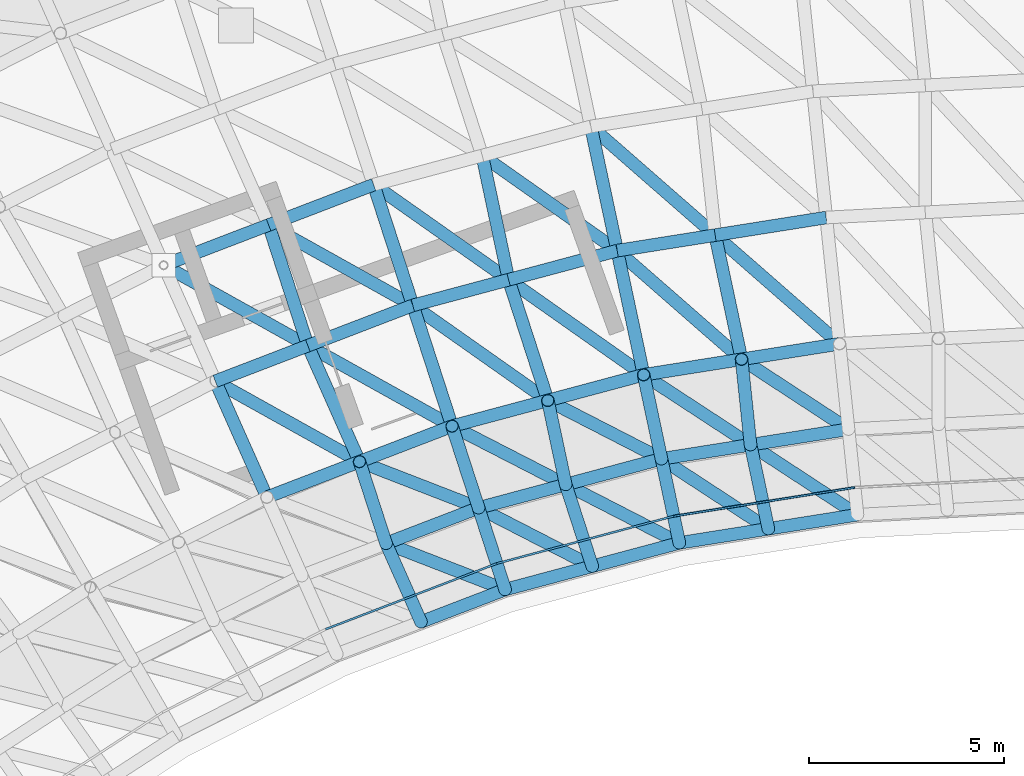
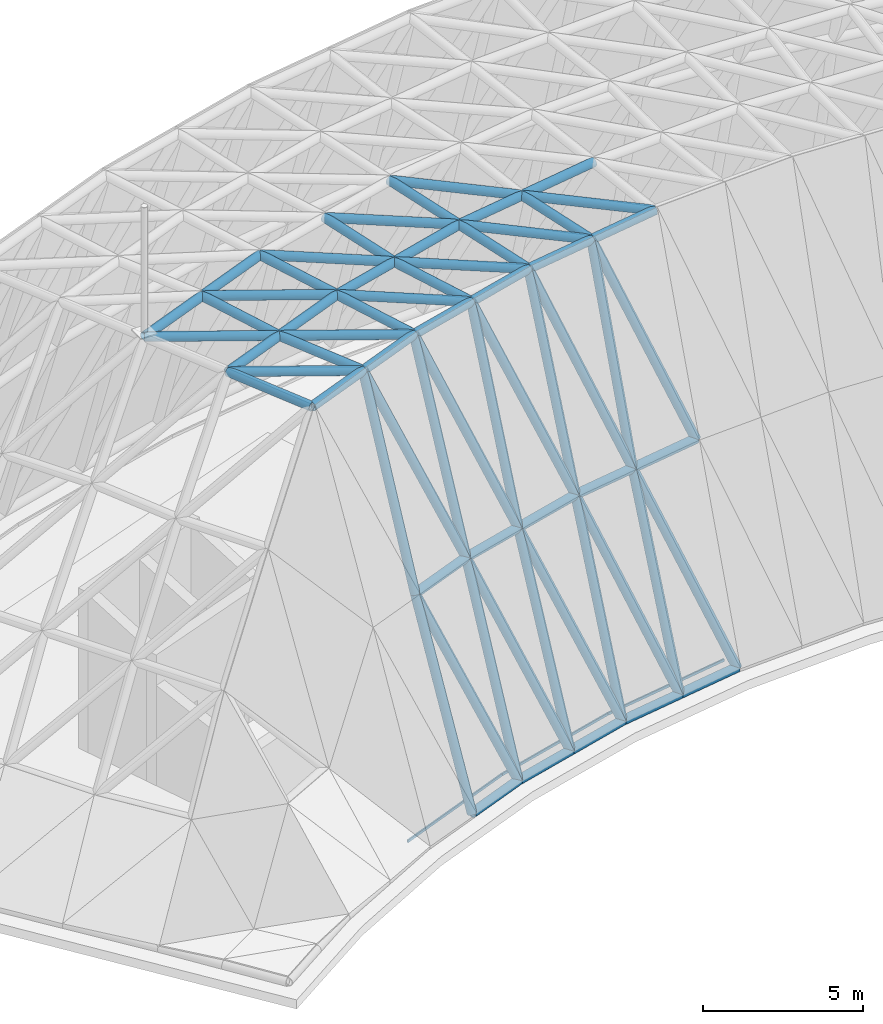
# One storey, part 3 of 20: 68 members.
"""IFC4 building model written with IfcOpenShell, lengths in metres."""

from ifc_helpers import new_model, si_unit, direction, frame, origin, origin_2d, place, context, subcontext, project, spatial, rectangle, hollow_circle, extrude, material, material_profile, profile_set, type_object, element, save


model = new_model("IFC4")

# Units and contexts
model_context = context("Model", 3, precision=1e-05, world=origin(), true_north=direction((0.0, 1.0)))
body_context = subcontext(model_context, "Body", "Model", "MODEL_VIEW")
ifc_project = project(units=[si_unit("LENGTHUNIT", "METRE"), si_unit("AREAUNIT", "SQUARE_METRE"), si_unit("VOLUMEUNIT", "CUBIC_METRE"), si_unit("PLANEANGLEUNIT", "RADIAN"), si_unit("MASSUNIT", "GRAM", prefix="KILO")], contexts=[model_context])

# Site, building, storey
site_placement = place(None, origin())
site = spatial("IfcSite", under=ifc_project, at=site_placement, CompositionType="ELEMENT")
building_placement = place(site_placement, origin())
building = spatial("IfcBuilding", under=site, at=building_placement, Name="Stone Belt Terrace Tower", CompositionType="ELEMENT")
storey_placement = place(building_placement, frame((0.0, 0.0, 337.39990234375)))
storey = spatial("IfcBuildingStorey", under=building, at=storey_placement, Name="RF", CompositionType="ELEMENT", Elevation=337.39990234375)

# Members
ifc_material_1 = material(Name="Structural steel C345", Category="steel")
ifc_material_profile_1 = material_profile(ifc_material_1, hollow_circle(Radius=0.16259765625, WallThickness=0.011962890625, at=origin_2d()), Name="Structural steel C345 CHS 325x12")
ifc_profile_set_1 = profile_set([ifc_material_profile_1], Name="Structural steel C345")
member_type_1 = type_object("IfcMemberType", Name="Crown frame tube CHS 325 x 12", PredefinedType="RAFTER", material=ifc_profile_set_1)
member_1_placement = place(storey_placement, frame((-14.9873046875, 46.126220703125, 15.16259765625), z_axis=(0.086962654841, -0.267635067053, -0.959587915486), x_axis=(0.951053644102, 0.309025833938, 0.0)))
element("IfcMember", 1, at=member_1_placement, inside=storey, type_object=member_type_1, Name="CROWN FRAME rafter 163", PredefinedType="RAFTER", context=body_context, shape_type="SweptSolid", body=[
    extrude(hollow_circle(Radius=0.16259765625, WallThickness=0.011962890625, at=origin_2d()), origin(), (0.0, 0.0, 1.0), 7.81591796875),
])
member_2_placement = place(storey_placement, frame((-14.9873046875, 46.126220703125, 15.16259765625), z_axis=(0.355552880472, -0.182669917275, -0.916631796585), x_axis=(0.456980287387, 0.889476822036, 0.0)))
element("IfcMember", 2, at=member_2_placement, inside=storey, type_object=member_type_1, Name="CROWN FRAME rafter 165", PredefinedType="RAFTER", context=body_context, shape_type="SweptSolid", body=[
    extrude(hollow_circle(Radius=0.16259765625, WallThickness=0.011962890625, at=origin_2d()), origin(), (0.0, 0.0, 1.0), 8.18212890625),
])
member_3_placement = place(storey_placement, frame((-17.35693359375, 45.216552734375, 15.16259765625), z_axis=(0.086962654841, -0.267635067053, -0.959587915486), x_axis=(0.951053644102, 0.309025833938, 0.0)))
element("IfcMember", 3, at=member_3_placement, inside=storey, type_object=member_type_1, Name="CROWN FRAME rafter 166", PredefinedType="RAFTER", context=body_context, shape_type="SweptSolid", body=[
    extrude(hollow_circle(Radius=0.16259765625, WallThickness=0.011962890625, at=origin_2d()), origin(), (0.0, 0.0, 1.0), 7.81591796875),
])
for number, where, z_axis, x_axis, name in (
    (4, (-17.35693359375, 45.216552734375, 15.16259765625), (0.372684177174, -0.144478525691, -0.916641947381), (0.361458986691, 0.932388009865, 0.0), "CROWN FRAME rafter 167"),
    (5, (-16.67724609375, 43.124755859375, 7.66259765625), (0.372682570363, -0.144507741254, -0.91663799532), (0.361523881509, 0.932362849484, 0.0), "CROWN FRAME rafter 169"),
):
    element("IfcMember", number, at=place(storey_placement, frame(where, z_axis=z_axis, x_axis=x_axis)), inside=storey, type_object=member_type_1, Name=name, PredefinedType="RAFTER", context=body_context, shape_type="SweptSolid", body=[
        extrude(hollow_circle(Radius=0.16259765625, WallThickness=0.011962890625, at=origin_2d()), origin(), (0.0, 0.0, 1.0), 8.18212890625),
    ])
for number, where, z_axis, x_axis, name in (
    (6, (-16.67724609375, 43.124755859375, 7.66259765625), (0.114450125757, -0.257106709908, -0.959581840405), (0.913573388708, 0.406673903077, 0.0), "CROWN FRAME rafter 170"),
    (7, (-14.3076171875, 44.034423828125, 7.66259765625), (0.086961927799, -0.267664065845, -0.959579892958), (0.951064242649, 0.30899321409, 0.0), "CROWN FRAME rafter 171"),
):
    element("IfcMember", number, at=place(storey_placement, frame(where, z_axis=z_axis, x_axis=x_axis)), inside=storey, type_object=member_type_1, Name=name, PredefinedType="RAFTER", context=body_context, shape_type="SweptSolid", body=[
        extrude(hollow_circle(Radius=0.16259765625, WallThickness=0.011962890625, at=origin_2d()), origin(), (0.0, 0.0, 1.0), 7.81591796875),
    ])
member_4_placement = place(storey_placement, frame((-14.3076171875, 44.034423828125, 7.66259765625), z_axis=(0.355552880472, -0.182669917275, -0.916631796585), x_axis=(0.456980287387, 0.889476822036, 0.0)))
element("IfcMember", 8, at=member_4_placement, inside=storey, type_object=member_type_1, Name="CROWN FRAME rafter 173", PredefinedType="RAFTER", context=body_context, shape_type="SweptSolid", body=[
    extrude(hollow_circle(Radius=0.16259765625, WallThickness=0.011962890625, at=origin_2d()), origin(), (0.0, 0.0, 1.0), 8.18212890625),
])
member_5_placement = place(storey_placement, frame((-10.083740234375, 47.440185546875, 15.16259765625), z_axis=(0.058505673699, -0.275285906198, -0.959580510428), x_axis=(0.978153491089, 0.207883976944, 0.0)))
element("IfcMember", 9, at=member_5_placement, inside=storey, type_object=member_type_1, Name="CROWN FRAME rafter 213", PredefinedType="RAFTER", context=body_context, shape_type="SweptSolid", body=[
    extrude(hollow_circle(Radius=0.16259765625, WallThickness=0.011962890625, at=origin_2d()), origin(), (0.0, 0.0, 1.0), 7.81591796875),
])
member_6_placement = place(storey_placement, frame((-10.083740234375, 47.440185546875, 15.16259765625), z_axis=(0.334516280804, -0.218833503114, -0.916630108491), x_axis=(0.547444429985, 0.83684203771, 0.0)))
element("IfcMember", 10, at=member_6_placement, inside=storey, type_object=member_type_1, Name="CROWN FRAME rafter 215", PredefinedType="RAFTER", context=body_context, shape_type="SweptSolid", body=[
    extrude(hollow_circle(Radius=0.16259765625, WallThickness=0.011962890625, at=origin_2d()), origin(), (0.0, 0.0, 1.0), 8.18212890625),
])
member_7_placement = place(storey_placement, frame((-12.535400390625, 46.783203125, 15.16259765625), z_axis=(0.058505673699, -0.275285906198, -0.959580510428), x_axis=(0.978153491089, 0.207883976944, 0.0)))
element("IfcMember", 11, at=member_7_placement, inside=storey, type_object=member_type_1, Name="CROWN FRAME rafter 216", PredefinedType="RAFTER", context=body_context, shape_type="SweptSolid", body=[
    extrude(hollow_circle(Radius=0.16259765625, WallThickness=0.011962890625, at=origin_2d()), origin(), (0.0, 0.0, 1.0), 7.81591796875),
])
member_8_placement = place(storey_placement, frame((-12.535400390625, 46.783203125, 15.16259765625), z_axis=(0.355526813873, -0.182671855185, -0.916641520956), x_axis=(0.45701063058, 0.889461232172, 0.0)))
element("IfcMember", 12, at=member_8_placement, inside=storey, type_object=member_type_1, Name="CROWN FRAME rafter 217", PredefinedType="RAFTER", context=body_context, shape_type="SweptSolid", body=[
    extrude(hollow_circle(Radius=0.16259765625, WallThickness=0.011962890625, at=origin_2d()), origin(), (0.0, 0.0, 1.0), 8.18212890625),
])
member_9_placement = place(storey_placement, frame((-12.078125, 44.631591796875, 7.66259765625), z_axis=(0.355528751591, -0.182643012042, -0.9166465169), x_axis=(0.45695156843, 0.889491576188, 0.0)))
element("IfcMember", 13, at=member_9_placement, inside=storey, type_object=member_type_1, Name="CROWN FRAME rafter 219", PredefinedType="RAFTER", context=body_context, shape_type="SweptSolid", body=[
    extrude(hollow_circle(Radius=0.16259765625, WallThickness=0.011962890625, at=origin_2d()), origin(), (0.0, 0.0, 1.0), 8.181884765625),
])
for number, where, z_axis, x_axis, name in (
    (14, (-12.078125, 44.631591796875, 7.66259765625), (0.086962654841, -0.267635067053, -0.959587915486), (0.951053644102, 0.309025833938, 0.0), "CROWN FRAME rafter 220"),
    (15, (-9.62646484375, 45.28857421875, 7.66259765625), (0.058506176763, -0.275257036644, -0.959588761428), (0.978148693799, 0.207906548285, 0.0), "CROWN FRAME rafter 221"),
):
    element("IfcMember", number, at=place(storey_placement, frame(where, z_axis=z_axis, x_axis=x_axis)), inside=storey, type_object=member_type_1, Name=name, PredefinedType="RAFTER", context=body_context, shape_type="SweptSolid", body=[
        extrude(hollow_circle(Radius=0.16259765625, WallThickness=0.011962890625, at=origin_2d()), origin(), (0.0, 0.0, 1.0), 7.81591796875),
    ])
member_10_placement = place(storey_placement, frame((-9.62646484375, 45.28857421875, 7.66259765625), z_axis=(0.334518464934, -0.218805093512, -0.916636093371), x_axis=(0.547392152735, 0.836876234054, 0.0)))
element("IfcMember", 16, at=member_10_placement, inside=storey, type_object=member_type_1, Name="CROWN FRAME rafter 223", PredefinedType="RAFTER", context=body_context, shape_type="SweptSolid", body=[
    extrude(hollow_circle(Radius=0.16259765625, WallThickness=0.011962890625, at=origin_2d()), origin(), (0.0, 0.0, 1.0), 8.18212890625),
])
member_11_placement = place(storey_placement, frame((-7.57666015625, 47.837158203125, 15.16259765625), z_axis=(0.029424753509, -0.279878759495, -0.959584318267), x_axis=(0.994518825066, 0.104557671117, 0.0)))
element("IfcMember", 17, at=member_11_placement, inside=storey, type_object=member_type_1, Name="CROWN FRAME rafter 266", PredefinedType="RAFTER", context=body_context, shape_type="SweptSolid", body=[
    extrude(hollow_circle(Radius=0.16259765625, WallThickness=0.011962890625, at=origin_2d()), origin(), (0.0, 0.0, 1.0), 7.81591796875),
])
for number, where, z_axis, x_axis, name in (
    (18, (-7.57666015625, 47.837158203125, 15.16259765625), (0.334518464934, -0.218805093512, -0.916636093371), (0.547392152735, 0.836876234054, 0.0), "CROWN FRAME rafter 267"),
    (19, (-7.3466796875, 45.649658203125, 7.66259765625), (0.334489781118, -0.218835687308, -0.916639257444), (0.547478628244, 0.836819664932, 0.0), "CROWN FRAME rafter 269"),
):
    element("IfcMember", number, at=place(storey_placement, frame(where, z_axis=z_axis, x_axis=x_axis)), inside=storey, type_object=member_type_1, Name=name, PredefinedType="RAFTER", context=body_context, shape_type="SweptSolid", body=[
        extrude(hollow_circle(Radius=0.16259765625, WallThickness=0.011962890625, at=origin_2d()), origin(), (0.0, 0.0, 1.0), 8.18212890625),
    ])
member_12_placement = place(storey_placement, frame((-7.3466796875, 45.649658203125, 7.66259765625), z_axis=(0.058506176763, -0.275257036644, -0.959588761428), x_axis=(0.978148693799, 0.207906548285, 0.0)))
element("IfcMember", 20, at=member_12_placement, inside=storey, type_object=member_type_1, Name="CROWN FRAME rafter 270", PredefinedType="RAFTER", context=body_context, shape_type="SweptSolid", body=[
    extrude(hollow_circle(Radius=0.16259765625, WallThickness=0.011962890625, at=origin_2d()), origin(), (0.0, 0.0, 1.0), 7.81591796875),
])
ifc_material_profile_2 = material_profile(ifc_material_1, hollow_circle(Radius=0.16259765625, WallThickness=0.011962890625, at=origin_2d()), Name="Structural steel C345 CHS 325x12")
ifc_profile_set_2 = profile_set([ifc_material_profile_2], Name="Structural steel C345")
member_type_2 = type_object("IfcMemberType", Name="Crown ring and ridge tube CHS 325 x 12", PredefinedType="CHORD", material=ifc_profile_set_2)
member_13_placement = place(storey_placement, frame((-22.37060546875, 50.2451171875, 15.16259765625), z_axis=(0.933596749447, 0.358325423911, 0.0), x_axis=(-0.358325423911, 0.933596749447, 0.0)))
element("IfcMember", 21, at=member_13_placement, inside=storey, type_object=member_type_2, Name="CROWN FRAME cap beam 102", PredefinedType="CHORD", context=body_context, shape_type="SweptSolid", body=[
    extrude(hollow_circle(Radius=0.16259765625, WallThickness=0.011962890625, at=origin_2d()), origin(), (0.0, 0.0, 1.0), 2.878662109375),
])
member_14_placement = place(storey_placement, frame((-22.37060546875, 50.2451171875, 15.16259765625), z_axis=(0.873286853652, -0.487206394908, 0.0), x_axis=(0.487206394908, 0.873286853652, 0.0)))
element("IfcMember", 22, at=member_14_placement, inside=storey, type_object=member_type_2, Name="CROWN FRAME cap beam 103", PredefinedType="CHORD", context=body_context, shape_type="SweptSolid", body=[
    extrude(hollow_circle(Radius=0.16259765625, WallThickness=0.011962890625, at=origin_2d()), origin(), (0.0, 0.0, 1.0), 4.227294921875),
])
member_15_placement = place(storey_placement, frame((-21.048583984375, 47.27587890625, 15.16259765625), z_axis=(0.406709932569, -0.913557349459, 0.0), x_axis=(0.913557349459, 0.406709932569, 0.0)))
element("IfcMember", 23, at=member_15_placement, inside=storey, type_object=member_type_2, Name="CROWN FRAME cap beam 109", PredefinedType="CHORD", context=body_context, shape_type="SweptSolid", body=[
    extrude(hollow_circle(Radius=0.16259765625, WallThickness=0.011962890625, at=origin_2d()), origin(), (0.0, 0.0, 1.0), 3.25),
])
member_16_placement = place(storey_placement, frame((-21.048583984375, 47.27587890625, 15.16259765625), z_axis=(0.933573485821, 0.358386030102, 0.0), x_axis=(-0.358386030102, 0.933573485821, 0.0)))
element("IfcMember", 24, at=member_16_placement, inside=storey, type_object=member_type_2, Name="CROWN FRAME cap beam 110", PredefinedType="CHORD", context=body_context, shape_type="SweptSolid", body=[
    extrude(hollow_circle(Radius=0.16259765625, WallThickness=0.011962890625, at=origin_2d()), origin(), (0.0, 0.0, 1.0), 2.538330078125),
])
member_17_placement = place(storey_placement, frame((-21.048583984375, 47.27587890625, 15.16259765625), z_axis=(0.873311425561, -0.487162348694, 0.0), x_axis=(0.487162348694, 0.873311425561, 0.0)))
element("IfcMember", 25, at=member_17_placement, inside=storey, type_object=member_type_2, Name="CROWN FRAME cap beam 111", PredefinedType="CHORD", context=body_context, shape_type="SweptSolid", body=[
    extrude(hollow_circle(Radius=0.16259765625, WallThickness=0.011962890625, at=origin_2d()), origin(), (0.0, 0.0, 1.0), 4.227294921875),
])
member_18_placement = place(storey_placement, frame((-19.726806640625, 44.306884765625, 15.16259765625), z_axis=(0.933585838236, 0.358353851166, 0.0), x_axis=(-0.358353851166, 0.933585838236, 0.0)))
element("IfcMember", 26, at=member_18_placement, inside=storey, type_object=member_type_2, Name="CROWN FRAME cap beam 114", PredefinedType="CHORD", context=body_context, shape_type="SweptSolid", body=[
    extrude(hollow_circle(Radius=0.16259765625, WallThickness=0.011962890625, at=origin_2d()), origin(), (0.0, 0.0, 1.0), 2.53857421875),
])
member_19_placement = place(storey_placement, frame((-16.995849609375, 52.30810546875, 15.16259765625), z_axis=(-0.933585858699, -0.358353797856, 0.0), x_axis=(0.358353797856, -0.933585858699, 0.0)))
element("IfcMember", 27, at=member_19_placement, inside=storey, type_object=member_type_2, Name="CROWN FRAME cap beam 150", PredefinedType="CHORD", context=body_context, shape_type="SweptSolid", body=[
    extrude(hollow_circle(Radius=0.16259765625, WallThickness=0.011962890625, at=origin_2d()), origin(), (0.0, 0.0, 1.0), 2.87841796875),
])
member_20_placement = place(storey_placement, frame((-16.995849609375, 52.30810546875, 15.16259765625), z_axis=(0.308984150214, -0.951067187383, 0.0), x_axis=(0.951067187383, 0.308984150214, 0.0)))
element("IfcMember", 28, at=member_20_placement, inside=storey, type_object=member_type_2, Name="CROWN FRAME cap beam 151", PredefinedType="CHORD", context=body_context, shape_type="SweptSolid", body=[
    extrude(hollow_circle(Radius=0.16259765625, WallThickness=0.011962890625, at=origin_2d()), origin(), (0.0, 0.0, 1.0), 3.249755859375),
])
member_21_placement = place(storey_placement, frame((-16.995849609375, 52.30810546875, 15.16259765625), z_axis=(0.817578832743, -0.575816682852, 0.0), x_axis=(0.575816682852, 0.817578832743, 0.0)))
element("IfcMember", 29, at=member_21_placement, inside=storey, type_object=member_type_2, Name="CROWN FRAME cap beam 153", PredefinedType="CHORD", context=body_context, shape_type="SweptSolid", body=[
    extrude(hollow_circle(Radius=0.16259765625, WallThickness=0.011962890625, at=origin_2d()), origin(), (0.0, 0.0, 1.0), 4.227294921875),
])
member_22_placement = place(storey_placement, frame((-19.68310546875, 51.276611328125, 15.16259765625), z_axis=(0.308962075479, -0.951074358773, 0.0), x_axis=(0.951074358773, 0.308962075479, 0.0)))
element("IfcMember", 30, at=member_22_placement, inside=storey, type_object=member_type_2, Name="CROWN FRAME cap beam 154", PredefinedType="CHORD", context=body_context, shape_type="SweptSolid", body=[
    extrude(hollow_circle(Radius=0.16259765625, WallThickness=0.011962890625, at=origin_2d()), origin(), (0.0, 0.0, 1.0), 3.25),
])
member_23_placement = place(storey_placement, frame((-19.68310546875, 51.276611328125, 15.16259765625), z_axis=(0.873297717724, -0.48718692123, 0.0), x_axis=(0.48718692123, 0.873297717724, 0.0)))
element("IfcMember", 31, at=member_23_placement, inside=storey, type_object=member_type_2, Name="CROWN FRAME cap beam 155", PredefinedType="CHORD", context=body_context, shape_type="SweptSolid", body=[
    extrude(hollow_circle(Radius=0.16259765625, WallThickness=0.011962890625, at=origin_2d()), origin(), (0.0, 0.0, 1.0), 4.22705078125),
])
member_24_placement = place(storey_placement, frame((-18.678955078125, 48.185546875, 15.16259765625), z_axis=(0.933557480608, 0.35842771991, 0.0), x_axis=(-0.35842771991, 0.933557480608, 0.0)))
element("IfcMember", 32, at=member_24_placement, inside=storey, type_object=member_type_2, Name="CROWN FRAME cap beam 156", PredefinedType="CHORD", context=body_context, shape_type="SweptSolid", body=[
    extrude(hollow_circle(Radius=0.16259765625, WallThickness=0.011962890625, at=origin_2d()), origin(), (0.0, 0.0, 1.0), 2.87841796875),
])
member_25_placement = place(storey_placement, frame((-18.678955078125, 48.185546875, 15.16259765625), z_axis=(0.873311425561, -0.487162348694, 0.0), x_axis=(0.487162348694, 0.873311425561, 0.0)))
element("IfcMember", 33, at=member_25_placement, inside=storey, type_object=member_type_2, Name="CROWN FRAME cap beam 157", PredefinedType="CHORD", context=body_context, shape_type="SweptSolid", body=[
    extrude(hollow_circle(Radius=0.16259765625, WallThickness=0.011962890625, at=origin_2d()), origin(), (0.0, 0.0, 1.0), 4.227294921875),
])
member_26_placement = place(storey_placement, frame((-18.678955078125, 48.185546875, 15.16259765625), z_axis=(0.406772625454, -0.913529436407, 0.0), x_axis=(0.913529436407, 0.406772625454, 0.0)))
element("IfcMember", 34, at=member_26_placement, inside=storey, type_object=member_type_2, Name="CROWN FRAME cap beam 158", PredefinedType="CHORD", context=body_context, shape_type="SweptSolid", body=[
    extrude(hollow_circle(Radius=0.16259765625, WallThickness=0.011962890625, at=origin_2d()), origin(), (0.0, 0.0, 1.0), 3.25),
])
member_27_placement = place(storey_placement, frame((-15.99169921875, 49.21728515625, 15.16259765625), z_axis=(0.309030020915, -0.951052283617, 0.0), x_axis=(0.951052283617, 0.309030020915, 0.0)))
element("IfcMember", 35, at=member_27_placement, inside=storey, type_object=member_type_2, Name="CROWN FRAME cap beam 159", PredefinedType="CHORD", context=body_context, shape_type="SweptSolid", body=[
    extrude(hollow_circle(Radius=0.16259765625, WallThickness=0.011962890625, at=origin_2d()), origin(), (0.0, 0.0, 1.0), 3.250244140625),
])
member_28_placement = place(storey_placement, frame((-15.99169921875, 49.21728515625, 15.16259765625), z_axis=(0.965950197738, 0.25872807248, 0.0), x_axis=(-0.25872807248, 0.965950197738, 0.0)))
element("IfcMember", 36, at=member_28_placement, inside=storey, type_object=member_type_2, Name="CROWN FRAME cap beam 160", PredefinedType="CHORD", context=body_context, shape_type="SweptSolid", body=[
    extrude(hollow_circle(Radius=0.16259765625, WallThickness=0.011962890625, at=origin_2d()), origin(), (0.0, 0.0, 1.0), 2.538330078125),
])
member_29_placement = place(storey_placement, frame((-15.99169921875, 49.21728515625, 15.16259765625), z_axis=(0.817597980893, -0.575789494208, 0.0), x_axis=(0.575789494208, 0.817597980893, 0.0)))
element("IfcMember", 37, at=member_29_placement, inside=storey, type_object=member_type_2, Name="CROWN FRAME cap beam 161", PredefinedType="CHORD", context=body_context, shape_type="SweptSolid", body=[
    extrude(hollow_circle(Radius=0.16259765625, WallThickness=0.011962890625, at=origin_2d()), origin(), (0.0, 0.0, 1.0), 4.227294921875),
])
for number, where, z_axis, x_axis, name in (
    (38, (-14.9873046875, 46.126220703125, 15.16259765625), (-0.933573485821, -0.358386030102, 0.0), (0.358386030102, -0.933573485821, 0.0), "CROWN FRAME cap beam 162"),
    (39, (-14.9873046875, 46.126220703125, 15.16259765625), (0.965926156653, 0.258817812163, 0.0), (-0.258817812163, 0.965926156653, 0.0), "CROWN FRAME cap beam 164"),
    (40, (-16.67724609375, 43.124755859375, 7.66259765625), (0.933573485821, 0.358386030102, 0.0), (-0.358386030102, 0.933573485821, 0.0), "CROWN FRAME cap beam 168"),
):
    element("IfcMember", number, at=place(storey_placement, frame(where, z_axis=z_axis, x_axis=x_axis)), inside=storey, type_object=member_type_2, Name=name, PredefinedType="CHORD", context=body_context, shape_type="SweptSolid", body=[
        extrude(hollow_circle(Radius=0.16259765625, WallThickness=0.011962890625, at=origin_2d()), origin(), (0.0, 0.0, 1.0), 2.538330078125),
    ])
for number, where, z_axis, x_axis, name in (
    (41, (-14.3076171875, 44.034423828125, 7.66259765625), (0.96594993978, 0.258729035556, 0.0), (-0.258729035556, 0.96594993978, 0.0), "CROWN FRAME cap beam 172"),
    (42, (-13.6279296875, 41.9423828125, 0.16259765625), (-0.933579859324, -0.358369427078, 0.0), (0.358369427078, -0.933579859324, 0.0), "CROWN FRAME ring beam 174"),
    (43, (-13.6279296875, 41.9423828125, 0.16259765625), (0.965923499902, 0.258827727142, 0.0), (-0.258827727142, 0.965923499902, 0.0), "CROWN FRAME ring beam 175"),
):
    element("IfcMember", number, at=place(storey_placement, frame(where, z_axis=z_axis, x_axis=x_axis)), inside=storey, type_object=member_type_2, Name=name, PredefinedType="CHORD", context=body_context, shape_type="SweptSolid", body=[
        extrude(hollow_circle(Radius=0.16259765625, WallThickness=0.011962890625, at=origin_2d()), origin(), (0.0, 0.0, 1.0), 2.30810546875),
    ])
member_30_placement = place(storey_placement, frame((-11.43505859375, 53.798095703125, 15.16259765625), z_axis=(0.207861451167, -0.978158278153, 0.0), x_axis=(0.978158278153, 0.207861451167, 0.0)))
element("IfcMember", 44, at=member_30_placement, inside=storey, type_object=member_type_2, Name="CROWN FRAME cap beam 201", PredefinedType="CHORD", context=body_context, shape_type="SweptSolid", body=[
    extrude(hollow_circle(Radius=0.16259765625, WallThickness=0.011962890625, at=origin_2d()), origin(), (0.0, 0.0, 1.0), 3.25),
])
member_31_placement = place(storey_placement, frame((-11.43505859375, 53.798095703125, 15.16259765625), z_axis=(0.75290575814, -0.658128345659, 0.0), x_axis=(0.658128345659, 0.75290575814, 0.0)))
element("IfcMember", 45, at=member_31_placement, inside=storey, type_object=member_type_2, Name="CROWN FRAME cap beam 203", PredefinedType="CHORD", context=body_context, shape_type="SweptSolid", body=[
    extrude(hollow_circle(Radius=0.16259765625, WallThickness=0.011962890625, at=origin_2d()), origin(), (0.0, 0.0, 1.0), 4.22705078125),
])
member_32_placement = place(storey_placement, frame((-14.215576171875, 53.05322265625, 15.16259765625), z_axis=(0.207918047811, -0.978146249492, 0.0), x_axis=(0.978146249492, 0.207918047811, 0.0)))
element("IfcMember", 46, at=member_32_placement, inside=storey, type_object=member_type_2, Name="CROWN FRAME cap beam 204", PredefinedType="CHORD", context=body_context, shape_type="SweptSolid", body=[
    extrude(hollow_circle(Radius=0.16259765625, WallThickness=0.011962890625, at=origin_2d()), origin(), (0.0, 0.0, 1.0), 3.250244140625),
])
member_33_placement = place(storey_placement, frame((-14.215576171875, 53.05322265625, 15.16259765625), z_axis=(0.817578832743, -0.575816682852, 0.0), x_axis=(0.575816682852, 0.817578832743, 0.0)))
element("IfcMember", 47, at=member_33_placement, inside=storey, type_object=member_type_2, Name="CROWN FRAME cap beam 205", PredefinedType="CHORD", context=body_context, shape_type="SweptSolid", body=[
    extrude(hollow_circle(Radius=0.16259765625, WallThickness=0.011962890625, at=origin_2d()), origin(), (0.0, 0.0, 1.0), 4.227294921875),
])
member_34_placement = place(storey_placement, frame((-13.539794921875, 49.8740234375, 15.16259765625), z_axis=(0.965913216943, 0.258866099237, 0.0), x_axis=(-0.258866099237, 0.965913216943, 0.0)))
element("IfcMember", 48, at=member_34_placement, inside=storey, type_object=member_type_2, Name="CROWN FRAME cap beam 206", PredefinedType="CHORD", context=body_context, shape_type="SweptSolid", body=[
    extrude(hollow_circle(Radius=0.16259765625, WallThickness=0.011962890625, at=origin_2d()), origin(), (0.0, 0.0, 1.0), 2.87841796875),
])
member_35_placement = place(storey_placement, frame((-13.539794921875, 49.8740234375, 15.16259765625), z_axis=(0.817606022345, -0.575778075499, 0.0), x_axis=(0.575778075499, 0.817606022345, 0.0)))
element("IfcMember", 49, at=member_35_placement, inside=storey, type_object=member_type_2, Name="CROWN FRAME cap beam 207", PredefinedType="CHORD", context=body_context, shape_type="SweptSolid", body=[
    extrude(hollow_circle(Radius=0.16259765625, WallThickness=0.011962890625, at=origin_2d()), origin(), (0.0, 0.0, 1.0), 4.22705078125),
])
for number, where, z_axis, x_axis, name in (
    (50, (-13.539794921875, 49.8740234375, 15.16259765625), (0.309052099479, -0.951045109239, 0.0), (0.951045109239, 0.309052099479, 0.0), "CROWN FRAME cap beam 208"),
    (51, (-10.759521484375, 50.619140625, 15.16259765625), (0.207933325345, -0.978143001923, 0.0), (0.978143001923, 0.207933325345, 0.0), "CROWN FRAME cap beam 209"),
):
    element("IfcMember", number, at=place(storey_placement, frame(where, z_axis=z_axis, x_axis=x_axis)), inside=storey, type_object=member_type_2, Name=name, PredefinedType="CHORD", context=body_context, shape_type="SweptSolid", body=[
        extrude(hollow_circle(Radius=0.16259765625, WallThickness=0.011962890625, at=origin_2d()), origin(), (0.0, 0.0, 1.0), 3.25),
    ])
member_36_placement = place(storey_placement, frame((-10.759521484375, 50.619140625, 15.16259765625), z_axis=(0.987695024419, 0.156392259198, 0.0), x_axis=(-0.156392259198, 0.987695024419, 0.0)))
element("IfcMember", 52, at=member_36_placement, inside=storey, type_object=member_type_2, Name="CROWN FRAME cap beam 210", PredefinedType="CHORD", context=body_context, shape_type="SweptSolid", body=[
    extrude(hollow_circle(Radius=0.16259765625, WallThickness=0.011962890625, at=origin_2d()), origin(), (0.0, 0.0, 1.0), 2.538330078125),
])
member_37_placement = place(storey_placement, frame((-10.759521484375, 50.619140625, 15.16259765625), z_axis=(0.752930772485, -0.658099727887, 0.0), x_axis=(0.658099727887, 0.752930772485, 0.0)))
element("IfcMember", 53, at=member_37_placement, inside=storey, type_object=member_type_2, Name="CROWN FRAME cap beam 211", PredefinedType="CHORD", context=body_context, shape_type="SweptSolid", body=[
    extrude(hollow_circle(Radius=0.16259765625, WallThickness=0.011962890625, at=origin_2d()), origin(), (0.0, 0.0, 1.0), 4.227294921875),
])
member_38_placement = place(storey_placement, frame((-10.083740234375, 47.440185546875, 15.16259765625), z_axis=(-0.965919713042, -0.258841858972, 0.0), x_axis=(0.258841858972, -0.965919713042, 0.0)))
element("IfcMember", 54, at=member_38_placement, inside=storey, type_object=member_type_2, Name="CROWN FRAME cap beam 212", PredefinedType="CHORD", context=body_context, shape_type="SweptSolid", body=[
    extrude(hollow_circle(Radius=0.16259765625, WallThickness=0.011962890625, at=origin_2d()), origin(), (0.0, 0.0, 1.0), 2.5380859375),
])
member_39_placement = place(storey_placement, frame((-10.083740234375, 47.440185546875, 15.16259765625), z_axis=(0.987695024419, 0.156392259198, 0.0), x_axis=(-0.156392259198, 0.987695024419, 0.0)))
element("IfcMember", 55, at=member_39_placement, inside=storey, type_object=member_type_2, Name="CROWN FRAME cap beam 214", PredefinedType="CHORD", context=body_context, shape_type="SweptSolid", body=[
    extrude(hollow_circle(Radius=0.16259765625, WallThickness=0.011962890625, at=origin_2d()), origin(), (0.0, 0.0, 1.0), 2.538330078125),
])
member_40_placement = place(storey_placement, frame((-12.078125, 44.631591796875, 7.66259765625), z_axis=(0.965919713042, 0.258841858972, 0.0), x_axis=(-0.258841858972, 0.965919713042, 0.0)))
element("IfcMember", 56, at=member_40_placement, inside=storey, type_object=member_type_2, Name="CROWN FRAME cap beam 218", PredefinedType="CHORD", context=body_context, shape_type="SweptSolid", body=[
    extrude(hollow_circle(Radius=0.16259765625, WallThickness=0.011962890625, at=origin_2d()), origin(), (0.0, 0.0, 1.0), 2.5380859375),
])
member_41_placement = place(storey_placement, frame((-9.62646484375, 45.28857421875, 7.66259765625), z_axis=(0.987688240967, 0.156435094066, 0.0), x_axis=(-0.156435094066, 0.987688240967, 0.0)))
element("IfcMember", 57, at=member_41_placement, inside=storey, type_object=member_type_2, Name="CROWN FRAME cap beam 222", PredefinedType="CHORD", context=body_context, shape_type="SweptSolid", body=[
    extrude(hollow_circle(Radius=0.16259765625, WallThickness=0.011962890625, at=origin_2d()), origin(), (0.0, 0.0, 1.0), 2.30810546875),
])
member_42_placement = place(storey_placement, frame((-9.169189453125, 43.13720703125, 0.16259765625), z_axis=(-0.96591641286, -0.258854173942, 0.0), x_axis=(0.258854173942, -0.96591641286, 0.0)))
element("IfcMember", 58, at=member_42_placement, inside=storey, type_object=member_type_2, Name="CROWN FRAME ring beam 224", PredefinedType="CHORD", context=body_context, shape_type="SweptSolid", body=[
    extrude(hollow_circle(Radius=0.16259765625, WallThickness=0.011962890625, at=origin_2d()), origin(), (0.0, 0.0, 1.0), 2.307861328125),
])
member_43_placement = place(storey_placement, frame((-9.169189453125, 43.13720703125, 0.16259765625), z_axis=(0.987688240967, 0.156435094066, 0.0), x_axis=(-0.156435094066, 0.987688240967, 0.0)))
element("IfcMember", 59, at=member_43_placement, inside=storey, type_object=member_type_2, Name="CROWN FRAME ring beam 225", PredefinedType="CHORD", context=body_context, shape_type="SweptSolid", body=[
    extrude(hollow_circle(Radius=0.16259765625, WallThickness=0.011962890625, at=origin_2d()), origin(), (0.0, 0.0, 1.0), 2.30810546875),
])
member_44_placement = place(storey_placement, frame((-8.25244140625, 51.01611328125, 15.16259765625), z_axis=(0.987680303549, 0.156485200519, 0.0), x_axis=(-0.156485200519, 0.987680303549, 0.0)))
element("IfcMember", 60, at=member_44_placement, inside=storey, type_object=member_type_2, Name="CROWN FRAME cap beam 256", PredefinedType="CHORD", context=body_context, shape_type="SweptSolid", body=[
    extrude(hollow_circle(Radius=0.16259765625, WallThickness=0.011962890625, at=origin_2d()), origin(), (0.0, 0.0, 1.0), 2.87841796875),
])
member_45_placement = place(storey_placement, frame((-8.25244140625, 51.01611328125, 15.16259765625), z_axis=(0.752959389863, -0.658066985357, 0.0), x_axis=(0.658066985357, 0.752959389863, 0.0)))
element("IfcMember", 61, at=member_45_placement, inside=storey, type_object=member_type_2, Name="CROWN FRAME cap beam 257", PredefinedType="CHORD", context=body_context, shape_type="SweptSolid", body=[
    extrude(hollow_circle(Radius=0.16259765625, WallThickness=0.011962890625, at=origin_2d()), origin(), (0.0, 0.0, 1.0), 4.22705078125),
])
member_46_placement = place(storey_placement, frame((-8.25244140625, 51.01611328125, 15.16259765625), z_axis=(0.207933325345, -0.978143001923, 0.0), x_axis=(0.978143001923, 0.207933325345, 0.0)))
element("IfcMember", 62, at=member_46_placement, inside=storey, type_object=member_type_2, Name="CROWN FRAME cap beam 258", PredefinedType="CHORD", context=body_context, shape_type="SweptSolid", body=[
    extrude(hollow_circle(Radius=0.16259765625, WallThickness=0.011962890625, at=origin_2d()), origin(), (0.0, 0.0, 1.0), 3.25),
])
for number, where, z_axis, x_axis, name in (
    (63, (-5.069580078125, 48.234375, 15.16259765625), (-0.987680163128, -0.156486086806, 0.0), (0.156486086806, -0.987680163128, 0.0), "CROWN FRAME cap beam 262"),
    (64, (-7.3466796875, 45.649658203125, 7.66259765625), (0.987680163128, 0.156486086806, 0.0), (-0.156486086806, 0.987680163128, 0.0), "CROWN FRAME cap beam 268"),
):
    element("IfcMember", number, at=place(storey_placement, frame(where, z_axis=z_axis, x_axis=x_axis)), inside=storey, type_object=member_type_2, Name=name, PredefinedType="CHORD", context=body_context, shape_type="SweptSolid", body=[
        extrude(hollow_circle(Radius=0.16259765625, WallThickness=0.011962890625, at=origin_2d()), origin(), (0.0, 0.0, 1.0), 2.538330078125),
    ])
member_47_placement = place(storey_placement, frame((-4.60986328125, 43.859130859375, 0.16259765625), z_axis=(-0.987701992955, -0.156348243075, 0.0), x_axis=(0.156348243075, -0.987701992955, 0.0)))
element("IfcMember", 65, at=member_47_placement, inside=storey, type_object=member_type_2, Name="CROWN FRAME ring beam 274", PredefinedType="CHORD", context=body_context, shape_type="SweptSolid", body=[
    extrude(hollow_circle(Radius=0.16259765625, WallThickness=0.011962890625, at=origin_2d()), origin(), (0.0, 0.0, 1.0), 2.307861328125),
])
ifc_material_2 = material(Name="Stainless steel AISI 304", Category="steel")
ifc_material_profile_3 = material_profile(ifc_material_2, rectangle(XDim=0.050048828125, YDim=0.10009765625, at=origin_2d()), Name="Stainless steel AISI 304 100x50")
ifc_profile_set_3 = profile_set([ifc_material_profile_3], Name="Stainless steel AISI 304")
member_type_3 = type_object("IfcMemberType", Name="Snow retention bar 100 x 50", PredefinedType="MEMBER", material=ifc_profile_set_3)
for number, where, z_axis, x_axis, name in (
    (66, (-18.222412109375, 40.928466796875, 0.050048828125), (0.933570844082, 0.358392911592, 0.0), (-0.358392911592, 0.933570844082, 0.0), "SNOW GUARD retention bar inner 3"),
    (67, (-13.844482421875, 42.609130859375, 0.050048828125), (0.965932715081, 0.258793334411, 0.0), (-0.258793334411, 0.965932715081, 0.0), "SNOW GUARD retention bar inner 4"),
    (68, (-9.314697265625, 43.82275390625, 0.050048828125), (0.987686017471, 0.156449131965, 0.0), (-0.156449131965, 0.987686017471, 0.0), "SNOW GUARD retention bar inner 5"),
):
    element("IfcMember", number, at=place(storey_placement, frame(where, z_axis=z_axis, x_axis=x_axis)), inside=storey, type_object=member_type_3, Name=name, PredefinedType="MEMBER", context=body_context, shape_type="SweptSolid", body=[
        extrude(rectangle(XDim=0.050048828125, YDim=0.10009765625, at=origin_2d()), origin(), (0.0, 0.0, 1.0), 4.689453125),
    ])

save(model, "model.ifc")
